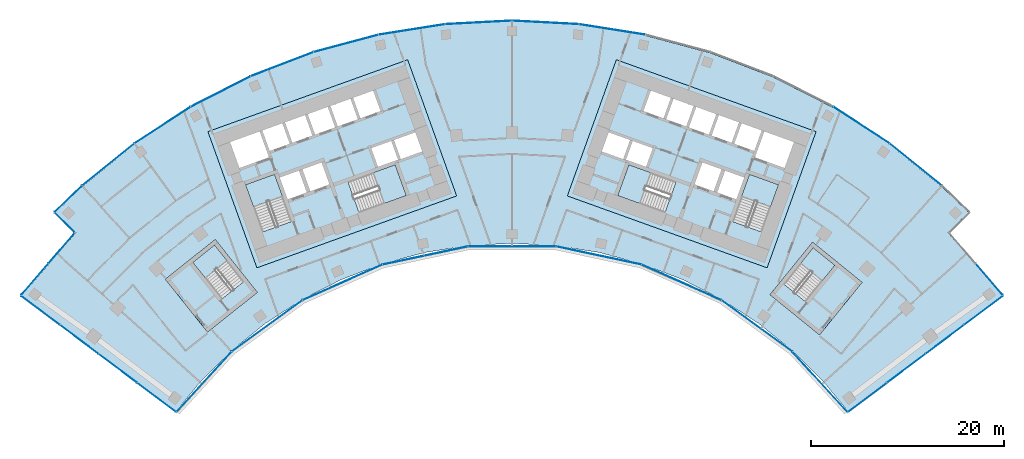
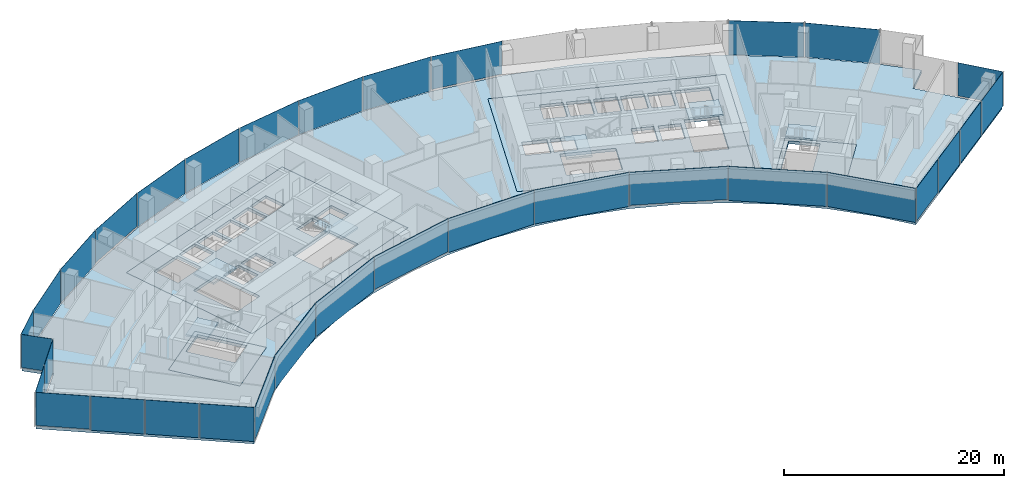
# One storey, part 11 of 21: 33 plates, 11 slabs, 13 elements without a shape of their own.
"""IFC4 building model written with IfcOpenShell, lengths in metres."""

from ifc_helpers import new_model, si_unit, direction, frame, origin, origin_2d, place, context, subcontext, project, spatial, polyline, rectangle, outline, extrude, material, layer, layer_set, type_object, element, aggregate, save


model = new_model("IFC4")

# Units and contexts
model_context = context("Model", 3, precision=1e-05, world=origin(), true_north=direction((0.0, 1.0)))
body_context = subcontext(model_context, "Body", "Model", "MODEL_VIEW")
ifc_project = project(units=[si_unit("LENGTHUNIT", "METRE"), si_unit("AREAUNIT", "SQUARE_METRE"), si_unit("VOLUMEUNIT", "CUBIC_METRE"), si_unit("PLANEANGLEUNIT", "RADIAN"), si_unit("MASSUNIT", "GRAM", prefix="KILO")], contexts=[model_context])

# Site, building, storey
site_placement = place(None, origin())
site = spatial("IfcSite", under=ifc_project, at=site_placement, CompositionType="ELEMENT")
building_placement = place(site_placement, origin())
building = spatial("IfcBuilding", under=site, at=building_placement, Name="Stone Belt Terrace Tower", CompositionType="ELEMENT")
storey_placement = place(building_placement, frame((0.0, 0.0, 151.60009765625)))
storey = spatial("IfcBuildingStorey", under=building, at=storey_placement, Name="L36", CompositionType="ELEMENT", Elevation=151.60009765625)

# Curtain wall, plates
ifc_material_1 = material(Name="Aluminium 6063-T6 anodised frame", Category="aluminium")
ifc_layer_1 = layer(ifc_material_1, 0.14990234375)
ifc_layer_set_1 = layer_set([ifc_layer_1], Name="CW-A unitised convex-face curtain wall")
curtain_wall_type_1 = type_object("IfcCurtainWallType", Name="CW-A unitised convex-face curtain wall", PredefinedType="NOTDEFINED", material=ifc_layer_set_1)
curtain_wall_1_placement = place(storey_placement, origin())
curtain_wall_1 = element("IfcCurtainWall", 1, at=curtain_wall_1_placement, inside=storey, type_object=curtain_wall_type_1, Name="CW-A convex face L36", PredefinedType="NOTDEFINED")
ifc_material_2 = material(Name="Clear double glazed unit")
ifc_layer_2 = layer(ifc_material_2, 0.031982421875)
ifc_layer_set_2 = layer_set([ifc_layer_2], Name="CW-A glass panel 32")
plate_type_1 = type_object("IfcPlateType", Name="CW-A glass panel 32", PredefinedType="CURTAIN_PANEL", material=ifc_layer_set_2)
plate_1_placement = place(storey_placement, frame((41.839599609375, 51.667724609375, 0.0), z_axis=(0.0, 0.0, 1.0), x_axis=(-0.777145961457, 0.62932039105, 0.0)))
plate_1 = element("IfcPlate", 2, at=plate_1_placement, type_object=plate_type_1, Name="CW-A panel 2.1", PredefinedType="CURTAIN_PANEL", context=body_context, shape_type="SweptSolid", body=[
    extrude(rectangle(XDim=6.900634765625, YDim=0.031982421875, at=origin_2d()), origin(), (0.0, 0.0, 1.0), 3.800048828125),
])
plate_2_placement = place(storey_placement, frame((36.209716796875, 55.758056640625, 0.0), z_axis=(0.0, 0.0, 1.0), x_axis=(-0.838670567945, 0.544639035015, 0.0)))
plate_2 = element("IfcPlate", 3, at=plate_2_placement, type_object=plate_type_1, Name="CW-A panel 3.1", PredefinedType="CURTAIN_PANEL", context=body_context, shape_type="SweptSolid", body=[
    extrude(rectangle(XDim=6.90087890625, YDim=0.031982421875, at=origin_2d()), origin(), (0.0, 0.0, 1.0), 3.800048828125),
])
plate_3_placement = place(storey_placement, frame((10.400390625, 65.665283203125, 0.14013671875), z_axis=(0.0, 0.0, 1.0), x_axis=(-0.987688340595, 0.15643446504, 0.0)))
plate_3 = element("IfcPlate", 4, at=plate_3_placement, type_object=plate_type_1, Name="CW-A panel 7.1", PredefinedType="CURTAIN_PANEL", context=body_context, shape_type="SweptSolid", body=[
    extrude(rectangle(XDim=6.90087890625, YDim=0.031982421875, at=origin_2d()), origin(), (0.0, 0.0, 1.0), 3.659912109375),
])
plate_4_placement = place(storey_placement, frame((3.4794921875, 66.392822265625, 0.0), z_axis=(0.0, 0.0, 1.0), x_axis=(-0.998629534755, 0.052335956243, 0.0)))
plate_4 = element("IfcPlate", 5, at=plate_4_placement, type_object=plate_type_1, Name="CW-A panel 8.1", PredefinedType="CURTAIN_PANEL", context=body_context, shape_type="SweptSolid", body=[
    extrude(rectangle(XDim=6.90087890625, YDim=0.031982421875, at=origin_2d()), origin(), (0.0, 0.0, 1.0), 3.800048828125),
])
plate_5_placement = place(storey_placement, frame((-3.4794921875, 66.392822265625, 0.0), z_axis=(0.0, 0.0, 1.0), x_axis=(-0.998629534755, -0.052335956243, 0.0)))
plate_5 = element("IfcPlate", 6, at=plate_5_placement, type_object=plate_type_1, Name="CW-A panel 9.1", PredefinedType="CURTAIN_PANEL", context=body_context, shape_type="SweptSolid", body=[
    extrude(rectangle(XDim=6.90087890625, YDim=0.031982421875, at=origin_2d()), origin(), (0.0, 0.0, 1.0), 3.800048828125),
])
plate_6_placement = place(storey_placement, frame((-10.400390625, 65.665283203125, 0.0), z_axis=(0.0, 0.0, 1.0), x_axis=(-0.987688340595, -0.15643446504, 0.0)))
plate_6 = element("IfcPlate", 7, at=plate_6_placement, type_object=plate_type_1, Name="CW-A panel 10.1", PredefinedType="CURTAIN_PANEL", context=body_context, shape_type="SweptSolid", body=[
    extrude(rectangle(XDim=6.90087890625, YDim=0.031982421875, at=origin_2d()), origin(), (0.0, 0.0, 1.0), 3.800048828125),
])
plate_7_placement = place(storey_placement, frame((-17.207275390625, 64.218505859375, 0.0), z_axis=(0.0, 0.0, 1.0), x_axis=(-0.965925826289, -0.258819045103, 0.0)))
plate_7 = element("IfcPlate", 8, at=plate_7_placement, type_object=plate_type_1, Name="CW-A panel 11.1", PredefinedType="CURTAIN_PANEL", context=body_context, shape_type="SweptSolid", body=[
    extrude(rectangle(XDim=6.90087890625, YDim=0.031982421875, at=origin_2d()), origin(), (0.0, 0.0, 1.0), 3.800048828125),
])
plate_8_placement = place(storey_placement, frame((-23.82568359375, 62.068115234375, 0.0), z_axis=(0.0, 0.0, 1.0), x_axis=(-0.933580426497, -0.358367949545, 0.0)))
plate_8 = element("IfcPlate", 9, at=plate_8_placement, type_object=plate_type_1, Name="CW-A panel 12.1", PredefinedType="CURTAIN_PANEL", context=body_context, shape_type="SweptSolid", body=[
    extrude(rectangle(XDim=6.90087890625, YDim=0.031982421875, at=origin_2d()), origin(), (0.0, 0.0, 1.0), 3.800048828125),
])
plate_9_placement = place(storey_placement, frame((-30.18310546875, 59.237548828125, 0.14013671875), z_axis=(0.0, 0.0, 1.0), x_axis=(-0.891006524188, -0.45399049974, 0.0)))
plate_9 = element("IfcPlate", 10, at=plate_9_placement, type_object=plate_type_1, Name="CW-A panel 13.1", PredefinedType="CURTAIN_PANEL", context=body_context, shape_type="SweptSolid", body=[
    extrude(rectangle(XDim=6.90087890625, YDim=0.031982421875, at=origin_2d()), origin(), (0.0, 0.0, 1.0), 3.659912109375),
])
plate_10_placement = place(storey_placement, frame((-36.209716796875, 55.758056640625, 0.0), z_axis=(0.0, 0.0, 1.0), x_axis=(-0.838670567945, -0.544639035015, 0.0)))
plate_10 = element("IfcPlate", 11, at=plate_10_placement, type_object=plate_type_1, Name="CW-A panel 14.1", PredefinedType="CURTAIN_PANEL", context=body_context, shape_type="SweptSolid", body=[
    extrude(rectangle(XDim=6.90087890625, YDim=0.031982421875, at=origin_2d()), origin(), (0.0, 0.0, 1.0), 3.800048828125),
])
plate_11_placement = place(storey_placement, frame((-41.839599609375, 51.667724609375, 0.0), z_axis=(0.0, 0.0, 1.0), x_axis=(-0.777145961457, -0.62932039105, 0.0)))
plate_11 = element("IfcPlate", 12, at=plate_11_placement, type_object=plate_type_1, Name="CW-A panel 15.1", PredefinedType="CURTAIN_PANEL", context=body_context, shape_type="SweptSolid", body=[
    extrude(rectangle(XDim=6.900634765625, YDim=0.031982421875, at=origin_2d()), origin(), (0.0, 0.0, 1.0), 3.800048828125),
])
plate_12_placement = place(storey_placement, frame((-45.9765625, 48.109619140625, 0.0), z_axis=(0.0, 0.0, 1.0), x_axis=(-0.723120883539, -0.690721497993, 0.0)))
plate_12 = element("IfcPlate", 13, at=plate_12_placement, type_object=plate_type_1, Name="CW-A panel 16.1", PredefinedType="CURTAIN_PANEL", context=body_context, shape_type="SweptSolid", body=[
    extrude(rectangle(XDim=3.888671875, YDim=0.031982421875, at=origin_2d()), origin(), (0.0, 0.0, 1.0), 3.800048828125),
])
aggregate(curtain_wall_1, [plate_1, plate_2, plate_3, plate_4, plate_5, plate_6, plate_7, plate_8, plate_9, plate_10, plate_11, plate_12])

ifc_layer_3 = layer(ifc_material_1, 0.14990234375)
ifc_layer_set_3 = layer_set([ifc_layer_3], Name="CW-B unitised concave-face curtain wall")
curtain_wall_type_2 = type_object("IfcCurtainWallType", Name="CW-B unitised concave-face curtain wall", PredefinedType="NOTDEFINED", material=ifc_layer_set_3)
curtain_wall_2_placement = place(storey_placement, origin())
curtain_wall_2 = element("IfcCurtainWall", 14, at=curtain_wall_2_placement, inside=storey, type_object=curtain_wall_type_2, Name="CW-B concave face L36", PredefinedType="NOTDEFINED")
ifc_layer_4 = layer(ifc_material_2, 0.030029296875)
ifc_layer_set_4 = layer_set([ifc_layer_4], Name="CW-B glass panel 30")
plate_type_2 = type_object("IfcPlateType", Name="CW-B glass panel 30", PredefinedType="CURTAIN_PANEL", material=ifc_layer_set_4)
plate_13_placement = place(storey_placement, frame((-31.9111328125, 29.148681640625, 0.1201171875), z_axis=(0.0, 0.0, 1.0), x_axis=(0.674760998748, 0.73803630979, 0.0)))
plate_13 = element("IfcPlate", 15, at=plate_13_placement, type_object=plate_type_2, Name="CW-B panel 1.1", PredefinedType="CURTAIN_PANEL", context=body_context, shape_type="SweptSolid", body=[
    extrude(rectangle(XDim=8.39501953125, YDim=0.030029296875, at=origin_2d()), origin(), (0.0, 0.0, 1.0), 3.679931640625),
])
plate_14_placement = place(storey_placement, frame((-25.384765625, 34.938720703125, 0.0), z_axis=(0.0, 0.0, 1.0), x_axis=(0.809016994375, 0.587785252292, 0.0)))
plate_14 = element("IfcPlate", 16, at=plate_14_placement, type_object=plate_type_2, Name="CW-B panel 2.1", PredefinedType="CURTAIN_PANEL", context=body_context, shape_type="SweptSolid", body=[
    extrude(rectangle(XDim=9.013427734375, YDim=0.030029296875, at=origin_2d()), origin(), (0.0, 0.0, 1.0), 3.800048828125),
])
plate_15_placement = place(storey_placement, frame((-17.565673828125, 39.453125, 0.0), z_axis=(0.0, 0.0, 1.0), x_axis=(0.913545457643, 0.406736643076, 0.0)))
plate_15 = element("IfcPlate", 17, at=plate_15_placement, type_object=plate_type_2, Name="CW-B panel 3.1", PredefinedType="CURTAIN_PANEL", context=body_context, shape_type="SweptSolid", body=[
    extrude(rectangle(XDim=9.0126953125, YDim=0.030029296875, at=origin_2d()), origin(), (0.0, 0.0, 1.0), 3.800048828125),
])
plate_16_placement = place(storey_placement, frame((-8.97900390625, 42.242919921875, 0.1201171875), z_axis=(0.0, 0.0, 1.0), x_axis=(0.978147600734, 0.207911690818, 0.0)))
plate_16 = element("IfcPlate", 18, at=plate_16_placement, type_object=plate_type_2, Name="CW-B panel 4.1", PredefinedType="CURTAIN_PANEL", context=body_context, shape_type="SweptSolid", body=[
    extrude(rectangle(XDim=9.0126953125, YDim=0.030029296875, at=origin_2d()), origin(), (0.0, 0.0, 1.0), 3.679931640625),
])
plate_17_placement = place(storey_placement, frame((0.0, 43.186767578125, 0.0), z_axis=(0.0, 0.0, 1.0), x_axis=(1.0, 0.0, 0.0)))
plate_17 = element("IfcPlate", 19, at=plate_17_placement, type_object=plate_type_2, Name="CW-B panel 5.1", PredefinedType="CURTAIN_PANEL", context=body_context, shape_type="SweptSolid", body=[
    extrude(rectangle(XDim=9.0126953125, YDim=0.030029296875, at=origin_2d()), origin(), (0.0, 0.0, 1.0), 3.800048828125),
])
plate_18_placement = place(storey_placement, frame((8.97900390625, 42.242919921875, 0.0), z_axis=(0.0, 0.0, 1.0), x_axis=(0.978147600734, -0.207911690818, 0.0)))
plate_18 = element("IfcPlate", 20, at=plate_18_placement, type_object=plate_type_2, Name="CW-B panel 6.1", PredefinedType="CURTAIN_PANEL", context=body_context, shape_type="SweptSolid", body=[
    extrude(rectangle(XDim=9.0126953125, YDim=0.030029296875, at=origin_2d()), origin(), (0.0, 0.0, 1.0), 3.800048828125),
])
plate_19_placement = place(storey_placement, frame((17.565673828125, 39.453125, 0.1201171875), z_axis=(0.0, 0.0, 1.0), x_axis=(0.913545457643, -0.406736643076, 0.0)))
plate_19 = element("IfcPlate", 21, at=plate_19_placement, type_object=plate_type_2, Name="CW-B panel 7.1", PredefinedType="CURTAIN_PANEL", context=body_context, shape_type="SweptSolid", body=[
    extrude(rectangle(XDim=9.0126953125, YDim=0.030029296875, at=origin_2d()), origin(), (0.0, 0.0, 1.0), 3.679931640625),
])
plate_20_placement = place(storey_placement, frame((25.384765625, 34.938720703125, 0.0), z_axis=(0.0, 0.0, 1.0), x_axis=(0.809016994375, -0.587785252292, 0.0)))
plate_20 = element("IfcPlate", 22, at=plate_20_placement, type_object=plate_type_2, Name="CW-B panel 8.1", PredefinedType="CURTAIN_PANEL", context=body_context, shape_type="SweptSolid", body=[
    extrude(rectangle(XDim=9.013427734375, YDim=0.030029296875, at=origin_2d()), origin(), (0.0, 0.0, 1.0), 3.800048828125),
])
plate_21_placement = place(storey_placement, frame((31.9111328125, 29.148681640625, 0.0), z_axis=(0.0, 0.0, 1.0), x_axis=(0.674760998748, -0.73803630979, 0.0)))
plate_21 = element("IfcPlate", 23, at=plate_21_placement, type_object=plate_type_2, Name="CW-B panel 9.1", PredefinedType="CURTAIN_PANEL", context=body_context, shape_type="SweptSolid", body=[
    extrude(rectangle(XDim=8.39501953125, YDim=0.030029296875, at=origin_2d()), origin(), (0.0, 0.0, 1.0), 3.800048828125),
])
aggregate(curtain_wall_2, [plate_13, plate_14, plate_15, plate_16, plate_17, plate_18, plate_19, plate_20, plate_21])

ifc_layer_5 = layer(ifc_material_1, 0.14990234375)
ifc_layer_set_5 = layer_set([ifc_layer_5], Name="CW-C stick curtain wall, horn ends and notches")
curtain_wall_type_3 = type_object("IfcCurtainWallType", Name="CW-C stick curtain wall, horn ends and notches", PredefinedType="NOTDEFINED", material=ifc_layer_set_5)
curtain_wall_3_placement = place(storey_placement, origin())
curtain_wall_3 = element("IfcCurtainWall", 24, at=curtain_wall_3_placement, inside=storey, type_object=curtain_wall_type_3, Name="CW-C end face L36", PredefinedType="NOTDEFINED")
ifc_layer_6 = layer(ifc_material_2, 0.028076171875)
ifc_layer_set_6 = layer_set([ifc_layer_6], Name="CW-C glass panel 28")
plate_type_3 = type_object("IfcPlateType", Name="CW-C glass panel 28", PredefinedType="CURTAIN_PANEL", material=ifc_layer_set_6)
plate_22_placement = place(storey_placement, frame((36.834228515625, 27.533203125, 0.1201171875), z_axis=(0.0, 0.0, 1.0), x_axis=(0.799986505357, 0.600017992436, 0.0)))
plate_22 = element("IfcPlate", 25, at=plate_22_placement, type_object=plate_type_3, Name="CW-C panel 1.1", PredefinedType="CURTAIN_PANEL", context=body_context, shape_type="SweptSolid", body=[
    extrude(rectangle(XDim=4.96533203125, YDim=0.028076171875, at=origin_2d()), origin(), (0.0, 0.0, 1.0), 3.679931640625),
])
plate_23_placement = place(storey_placement, frame((40.84423828125, 30.541015625, 0.0), z_axis=(0.0, 0.0, 1.0), x_axis=(0.799986505357, 0.600017992436, 0.0)))
plate_23 = element("IfcPlate", 26, at=plate_23_placement, type_object=plate_type_3, Name="CW-C panel 2.1", PredefinedType="CURTAIN_PANEL", context=body_context, shape_type="SweptSolid", body=[
    extrude(rectangle(XDim=4.93994140625, YDim=0.028076171875, at=origin_2d()), origin(), (0.0, 0.0, 1.0), 3.800048828125),
])
plate_24_placement = place(storey_placement, frame((44.84423828125, 33.541015625, 0.0), z_axis=(0.0, 0.0, 1.0), x_axis=(0.799986505357, 0.600017992436, 0.0)))
plate_24 = element("IfcPlate", 27, at=plate_24_placement, type_object=plate_type_3, Name="CW-C panel 3.1", PredefinedType="CURTAIN_PANEL", context=body_context, shape_type="SweptSolid", body=[
    extrude(rectangle(XDim=4.93994140625, YDim=0.028076171875, at=origin_2d()), origin(), (0.0, 0.0, 1.0), 3.800048828125),
])
plate_25_placement = place(storey_placement, frame((48.858154296875, 36.551513671875, 0.0), z_axis=(0.0, 0.0, 1.0), x_axis=(0.799986505357, 0.600017992436, 0.0)))
plate_25 = element("IfcPlate", 28, at=plate_25_placement, type_object=plate_type_3, Name="CW-C panel 4.1", PredefinedType="CURTAIN_PANEL", context=body_context, shape_type="SweptSolid", body=[
    extrude(rectangle(XDim=4.974853515625, YDim=0.028076171875, at=origin_2d()), origin(), (0.0, 0.0, 1.0), 3.800048828125),
])
aggregate(curtain_wall_3, [plate_22, plate_23, plate_24, plate_25])

# Curtain wall, plate
curtain_wall_4_placement = place(storey_placement, origin())
curtain_wall_4 = element("IfcCurtainWall", 29, at=curtain_wall_4_placement, inside=storey, type_object=curtain_wall_type_3, Name="CW-C notch face L36", PredefinedType="NOTDEFINED")
plate_26_placement = place(storey_placement, frame((49.466064453125, 39.76318359375, 0.1201171875), z_axis=(0.0, 0.0, 1.0), x_axis=(-0.652737860281, 0.757583847343, 0.0)))
plate_26 = element("IfcPlate", 30, at=plate_26_placement, type_object=plate_type_3, Name="CW-C panel 1.1", PredefinedType="CURTAIN_PANEL", context=body_context, shape_type="SweptSolid", body=[
    extrude(rectangle(XDim=4.268798828125, YDim=0.028076171875, at=origin_2d()), origin(), (0.0, 0.0, 1.0), 3.679931640625),
])
aggregate(curtain_wall_4, [plate_26])

curtain_wall_5_placement = place(storey_placement, origin())
curtain_wall_5 = element("IfcCurtainWall", 31, at=curtain_wall_5_placement, inside=storey, type_object=curtain_wall_type_3, Name="CW-C notch face L36", PredefinedType="NOTDEFINED")
plate_27_placement = place(storey_placement, frame((-46.365966796875, 45.658447265625, 0.1201171875), z_axis=(0.0, 0.0, 1.0), x_axis=(0.711713447851, -0.702469905511, 0.0)))
plate_27 = element("IfcPlate", 32, at=plate_27_placement, type_object=plate_type_3, Name="CW-C panel 1.1", PredefinedType="CURTAIN_PANEL", context=body_context, shape_type="SweptSolid", body=[
    extrude(rectangle(XDim=2.859375, YDim=0.028076171875, at=origin_2d()), origin(), (0.0, 0.0, 1.0), 3.679931640625),
])
aggregate(curtain_wall_5, [plate_27])

# Curtain wall, plates
curtain_wall_6_placement = place(storey_placement, origin())
curtain_wall_6 = element("IfcCurtainWall", 33, at=curtain_wall_6_placement, inside=storey, type_object=curtain_wall_type_3, Name="CW-C notch face L36", PredefinedType="NOTDEFINED")
plate_28_placement = place(storey_placement, frame((-46.68896484375, 42.986572265625, 0.1201171875), z_axis=(0.0, 0.0, 1.0), x_axis=(-0.652737860281, -0.757583847343, 0.0)))
plate_28 = element("IfcPlate", 34, at=plate_28_placement, type_object=plate_type_3, Name="CW-C panel 1.1", PredefinedType="CURTAIN_PANEL", context=body_context, shape_type="SweptSolid", body=[
    extrude(rectangle(XDim=4.12060546875, YDim=0.028076171875, at=origin_2d()), origin(), (0.0, 0.0, 1.0), 3.679931640625),
])
plate_29_placement = place(storey_placement, frame((-49.466064453125, 39.76318359375, 0.0), z_axis=(0.0, 0.0, 1.0), x_axis=(-0.652737860281, -0.757583847343, 0.0)))
plate_29 = element("IfcPlate", 35, at=plate_29_placement, type_object=plate_type_3, Name="CW-C panel 2.1", PredefinedType="CURTAIN_PANEL", context=body_context, shape_type="SweptSolid", body=[
    extrude(rectangle(XDim=4.268798828125, YDim=0.028076171875, at=origin_2d()), origin(), (0.0, 0.0, 1.0), 3.800048828125),
])
aggregate(curtain_wall_6, [plate_28, plate_29])

curtain_wall_7_placement = place(storey_placement, origin())
curtain_wall_7 = element("IfcCurtainWall", 36, at=curtain_wall_7_placement, inside=storey, type_object=curtain_wall_type_3, Name="CW-C end face L36", PredefinedType="NOTDEFINED")
plate_30_placement = place(storey_placement, frame((-48.858154296875, 36.551513671875, 0.1201171875), z_axis=(0.0, 0.0, 1.0), x_axis=(0.799986505357, -0.600017992436, 0.0)))
plate_30 = element("IfcPlate", 37, at=plate_30_placement, type_object=plate_type_3, Name="CW-C panel 1.1", PredefinedType="CURTAIN_PANEL", context=body_context, shape_type="SweptSolid", body=[
    extrude(rectangle(XDim=4.974853515625, YDim=0.028076171875, at=origin_2d()), origin(), (0.0, 0.0, 1.0), 3.679931640625),
])
plate_31_placement = place(storey_placement, frame((-44.84423828125, 33.541015625, 0.0), z_axis=(0.0, 0.0, 1.0), x_axis=(0.799986505357, -0.600017992436, 0.0)))
plate_31 = element("IfcPlate", 38, at=plate_31_placement, type_object=plate_type_3, Name="CW-C panel 2.1", PredefinedType="CURTAIN_PANEL", context=body_context, shape_type="SweptSolid", body=[
    extrude(rectangle(XDim=4.93994140625, YDim=0.028076171875, at=origin_2d()), origin(), (0.0, 0.0, 1.0), 3.800048828125),
])
plate_32_placement = place(storey_placement, frame((-40.84423828125, 30.541015625, 0.0), z_axis=(0.0, 0.0, 1.0), x_axis=(0.799986505357, -0.600017992436, 0.0)))
plate_32 = element("IfcPlate", 39, at=plate_32_placement, type_object=plate_type_3, Name="CW-C panel 3.1", PredefinedType="CURTAIN_PANEL", context=body_context, shape_type="SweptSolid", body=[
    extrude(rectangle(XDim=4.93994140625, YDim=0.028076171875, at=origin_2d()), origin(), (0.0, 0.0, 1.0), 3.800048828125),
])
plate_33_placement = place(storey_placement, frame((-36.834228515625, 27.533203125, 0.0), z_axis=(0.0, 0.0, 1.0), x_axis=(0.799986505357, -0.600017992436, 0.0)))
plate_33 = element("IfcPlate", 40, at=plate_33_placement, type_object=plate_type_3, Name="CW-C panel 4.1", PredefinedType="CURTAIN_PANEL", context=body_context, shape_type="SweptSolid", body=[
    extrude(rectangle(XDim=4.96533203125, YDim=0.028076171875, at=origin_2d()), origin(), (0.0, 0.0, 1.0), 3.800048828125),
])
aggregate(curtain_wall_7, [plate_30, plate_31, plate_32, plate_33])

# Slabs
ifc_material_3 = material(Name="Concrete B40", Category="concrete")
ifc_layer_7 = layer(ifc_material_3, 0.320068359375)
ifc_layer_set_7 = layer_set([ifc_layer_7], Name="Core floor slab 320")
slab_type_1 = type_object("IfcSlabType", Name="Core floor slab 320", PredefinedType="FLOOR", material=ifc_layer_set_7)
slab_1_placement = place(storey_placement, frame((0.0, 0.0, -0.320068359375)))
element("IfcSlab", 41, at=slab_1_placement, inside=storey, type_object=slab_type_1, Name="Core A floor L36", PredefinedType="FLOOR", context=body_context, shape_type="SweptSolid", body=[
    extrude(outline(polyline([(-26.43505859375, 40.968994140625), (-5.735107421875, 48.4189453125), (-10.81396484375, 62.531982421875), (-31.513916015625, 55.0830078125), (-26.43505859375, 40.968994140625)]), holes=[polyline([(-24.60791015625, 50.659912109375), (-22.847900390625, 45.76806640625), (-25.85888671875, 44.68408203125), (-27.618896484375, 49.575927734375), (-24.60791015625, 50.659912109375)]), polyline([(-23.25, 48.06689453125), (-24.06298828125, 50.324951171875), (-22.0869140625, 51.035888671875), (-21.27392578125, 48.778076171875), (-23.25, 48.06689453125)]), polyline([(-20.89794921875, 48.9130859375), (-21.7109375, 51.1708984375), (-19.735107421875, 51.883056640625), (-18.922119140625, 49.6240234375), (-20.89794921875, 48.9130859375)]), polyline([(-28.24609375, 51.31689453125), (-29.2109375, 53.9990234375), (-26.153076171875, 55.09912109375), (-25.18798828125, 52.41796875), (-28.24609375, 51.31689453125)]), polyline([(-23.801025390625, 55.946044921875), (-23.0390625, 53.8291015625), (-25.10888671875, 53.083984375), (-25.87109375, 55.200927734375), (-23.801025390625, 55.946044921875)]), polyline([(-21.447998046875, 56.7919921875), (-20.68603515625, 54.675048828125), (-22.756103515625, 53.929931640625), (-23.51806640625, 56.047119140625), (-21.447998046875, 56.7919921875)]), polyline([(-10.955078125, 48.452880859375), (-15.846923828125, 46.69189453125), (-16.998046875, 49.89208984375), (-12.10595703125, 51.652099609375), (-10.955078125, 48.452880859375)]), polyline([(-11.847900390625, 52.116943359375), (-11.864990234375, 52.1640625), (-13.887939453125, 51.43603515625), (-14.58203125, 53.364990234375), (-12.511962890625, 54.110107421875), (-11.801025390625, 52.134033203125), (-11.847900390625, 52.116943359375)]), polyline([(-9.30810546875, 53.031005859375), (-11.51904296875, 52.235107421875), (-12.22998046875, 54.2109375), (-10.01904296875, 55.007080078125), (-9.30810546875, 53.031005859375)]), polyline([(-21.166015625, 56.89404296875), (-19.095947265625, 57.638916015625), (-18.333984375, 55.52197265625), (-20.404052734375, 54.777099609375), (-21.166015625, 56.89404296875)]), polyline([(-16.743896484375, 58.485107421875), (-15.98193359375, 56.367919921875), (-18.052001953125, 55.623046875), (-18.81396484375, 57.739990234375), (-16.743896484375, 58.485107421875)]), polyline([(-14.39111328125, 59.33203125), (-13.6298828125, 57.215087890625), (-15.699951171875, 56.469970703125), (-16.4609375, 58.5869140625), (-14.39111328125, 59.33203125)])]), origin(), (0.0, 0.0, 1.0), 0.320068359375),
])
slab_2_placement = place(storey_placement, frame((0.0, 0.0, -0.320068359375)))
element("IfcSlab", 42, at=slab_2_placement, inside=storey, type_object=slab_type_1, Name="Core B floor L36", PredefinedType="FLOOR", context=body_context, shape_type="SweptSolid", body=[
    extrude(outline(polyline([(26.43505859375, 40.968994140625), (31.513916015625, 55.0830078125), (10.81396484375, 62.531982421875), (5.735107421875, 48.4189453125), (26.43505859375, 40.968994140625)]), holes=[polyline([(12.10595703125, 51.652099609375), (16.998046875, 49.89208984375), (15.846923828125, 46.69189453125), (10.955078125, 48.452880859375), (12.10595703125, 51.652099609375)]), polyline([(12.511962890625, 54.110107421875), (14.58203125, 53.364990234375), (13.887939453125, 51.43603515625), (11.864990234375, 52.1640625), (11.847900390625, 52.116943359375), (11.801025390625, 52.134033203125), (12.511962890625, 54.110107421875)]), polyline([(9.30810546875, 53.031005859375), (10.01904296875, 55.007080078125), (12.22998046875, 54.2109375), (11.51904296875, 52.235107421875), (9.30810546875, 53.031005859375)]), polyline([(18.333984375, 55.52197265625), (19.095947265625, 57.638916015625), (21.166015625, 56.89404296875), (20.404052734375, 54.777099609375), (18.333984375, 55.52197265625)]), polyline([(16.743896484375, 58.485107421875), (18.81396484375, 57.739990234375), (18.052001953125, 55.623046875), (15.98193359375, 56.367919921875), (16.743896484375, 58.485107421875)]), polyline([(14.39111328125, 59.33203125), (16.4609375, 58.5869140625), (15.699951171875, 56.469970703125), (13.6298828125, 57.215087890625), (14.39111328125, 59.33203125)]), polyline([(27.618896484375, 49.575927734375), (25.85888671875, 44.68408203125), (22.847900390625, 45.76806640625), (24.60791015625, 50.659912109375), (27.618896484375, 49.575927734375)]), polyline([(23.25, 48.06689453125), (21.27392578125, 48.778076171875), (22.0869140625, 51.035888671875), (24.06298828125, 50.324951171875), (23.25, 48.06689453125)]), polyline([(20.89794921875, 48.9130859375), (18.922119140625, 49.6240234375), (19.735107421875, 51.883056640625), (21.7109375, 51.1708984375), (20.89794921875, 48.9130859375)]), polyline([(26.153076171875, 55.09912109375), (29.2109375, 53.9990234375), (28.24609375, 51.31689453125), (25.18798828125, 52.41796875), (26.153076171875, 55.09912109375)]), polyline([(23.801025390625, 55.946044921875), (25.87109375, 55.200927734375), (25.10888671875, 53.083984375), (23.0390625, 53.8291015625), (23.801025390625, 55.946044921875)]), polyline([(21.447998046875, 56.7919921875), (23.51806640625, 56.047119140625), (22.756103515625, 53.929931640625), (20.68603515625, 54.675048828125), (21.447998046875, 56.7919921875)])]), origin(), (0.0, 0.0, 1.0), 0.320068359375),
])
slab_3_placement = place(storey_placement, frame((0.0, 0.0, -0.320068359375)))
element("IfcSlab", 43, at=slab_3_placement, inside=storey, type_object=slab_type_1, Name="Exit stair ST3A floor L36", PredefinedType="FLOOR", context=body_context, shape_type="SweptSolid", body=[
    extrude(outline(polyline([(-26.39404296875, 38.425048828125), (-30.756103515625, 43.89990234375), (-35.91796875, 39.787109375), (-31.555908203125, 34.31298828125), (-26.39404296875, 38.425048828125)]), holes=[polyline([(-27.798095703125, 39.544921875), (-30.06591796875, 37.738037109375), (-33.087890625, 41.531005859375), (-30.820068359375, 43.337890625), (-27.798095703125, 39.544921875)])]), origin(), (0.0, 0.0, 1.0), 0.320068359375),
])
slab_4_placement = place(storey_placement, frame((0.0, 0.0, -0.320068359375)))
element("IfcSlab", 44, at=slab_4_placement, inside=storey, type_object=slab_type_1, Name="Exit stair ST3B floor L36", PredefinedType="FLOOR", context=body_context, shape_type="SweptSolid", body=[
    extrude(outline(polyline([(26.741943359375, 38.18408203125), (31.866943359375, 34.02392578125), (36.278076171875, 39.458984375), (31.154052734375, 43.618896484375), (26.741943359375, 38.18408203125)]), holes=[polyline([(30.407958984375, 37.462890625), (28.156005859375, 39.291015625), (31.2119140625, 43.055908203125), (33.464111328125, 41.22802734375), (30.407958984375, 37.462890625)])]), origin(), (0.0, 0.0, 1.0), 0.320068359375),
])
ifc_layer_8 = layer(ifc_material_3, 0.320068359375)
ifc_layer_set_8 = layer_set([ifc_layer_8], Name="Floor slab 320 B40")
slab_type_2 = type_object("IfcSlabType", Name="Floor slab 320 B40", PredefinedType="FLOOR", material=ifc_layer_set_8)
slab_5_placement = place(storey_placement, frame((0.0, 0.0, -0.320068359375)))
element("IfcSlab", 45, at=slab_5_placement, inside=storey, type_object=slab_type_2, Name="Floor slab L36", PredefinedType="FLOOR", context=body_context, shape_type="SweptSolid", body=[
    extrude(outline(polyline([(-44.497314453125, 49.419189453125), (-39.087646484375, 53.799560546875), (-33.25, 57.5908203125), (-27.048095703125, 60.750732421875), (-20.549560546875, 63.245361328125), (-13.826171875, 65.046875), (-6.951171875, 66.1357421875), (0.0, 66.5), (6.951171875, 66.1357421875), (13.826171875, 65.046875), (20.549560546875, 63.245361328125), (27.048095703125, 60.750732421875), (33.25, 57.5908203125), (39.087646484375, 53.799560546875), (44.497314453125, 49.419189453125), (47.328857421875, 46.714111328125), (45.19384765625, 44.606689453125), (50.799072265625, 38.10107421875), (34.79931640625, 26.100830078125), (32.326904296875, 29.107177734375), (29.107177734375, 32.326904296875), (25.568603515625, 35.192138671875), (21.75, 37.672119140625), (17.693115234375, 39.7392578125), (13.442138671875, 41.37109375), (9.044189453125, 42.54931640625), (4.547119140625, 43.26171875), (0.0, 43.5), (-4.547119140625, 43.26171875), (-9.044189453125, 42.54931640625), (-13.442138671875, 41.37109375), (-17.693115234375, 39.7392578125), (-21.75, 37.672119140625), (-25.568603515625, 35.192138671875), (-29.107177734375, 32.326904296875), (-32.326904296875, 29.107177734375), (-34.79931640625, 26.100830078125), (-50.799072265625, 38.10107421875), (-45.19384765625, 44.606689453125), (-47.328857421875, 46.714111328125), (-44.497314453125, 49.419189453125)]), holes=[polyline([(-26.434814453125, 40.968994140625), (-5.734619140625, 48.418701171875), (-10.81396484375, 62.532470703125), (-31.51416015625, 55.082763671875), (-26.434814453125, 40.968994140625)]), polyline([(10.81396484375, 62.532470703125), (5.734619140625, 48.418701171875), (26.434814453125, 40.968994140625), (31.51416015625, 55.082763671875), (10.81396484375, 62.532470703125)]), polyline([(-35.91796875, 39.787353515625), (-31.55615234375, 34.3125), (-26.39404296875, 38.425048828125), (-30.756103515625, 43.89990234375), (-35.91796875, 39.787353515625)]), polyline([(36.2783203125, 39.459228515625), (31.15380859375, 43.61865234375), (26.742431640625, 38.18359375), (31.86669921875, 34.024169921875), (36.2783203125, 39.459228515625)])]), origin(), (0.0, 0.0, 1.0), 0.320068359375),
])

# Stair, slab
stair_type = type_object("IfcStairType", Name="Exit stair 1500", PredefinedType="HALF_TURN_STAIR", material=ifc_material_3)
stair_1_placement = place(storey_placement, origin())
stair_1 = element("IfcStair", 46, at=stair_1_placement, inside=storey, type_object=stair_type, Name="L36 Exit stair 1 core A", PredefinedType="HALF_TURN_STAIR")
ifc_layer_9 = layer(ifc_material_3, 0.199951171875)
ifc_layer_set_9 = layer_set([ifc_layer_9], Name="Stair landing 200")
slab_type_3 = type_object("IfcSlabType", Name="Stair landing 200", PredefinedType="LANDING", material=ifc_layer_set_9)
slab_6_placement = place(storey_placement, frame((0.0, 0.0, 1.699951171875)))
slab_6 = element("IfcSlab", 47, at=slab_6_placement, type_object=slab_type_3, Name="ST1A landing 1", PredefinedType="LANDING", context=body_context, shape_type="SweptSolid", body=[
    extrude(outline(polyline([(-23.79541015625, 48.40087890625), (-24.6083984375, 50.659912109375), (-27.619384765625, 49.576171875), (-26.806396484375, 47.3173828125), (-23.79541015625, 48.40087890625)])), origin(), (0.0, 0.0, 1.0), 0.199951171875),
])
aggregate(stair_1, [slab_6])

stair_2_placement = place(storey_placement, origin())
stair_2 = element("IfcStair", 48, at=stair_2_placement, inside=storey, type_object=stair_type, Name="L36 Exit stair 2 core A", PredefinedType="HALF_TURN_STAIR")
slab_7_placement = place(storey_placement, frame((0.0, 0.0, 1.699951171875)))
slab_7 = element("IfcSlab", 49, at=slab_7_placement, type_object=slab_type_3, Name="ST2A landing 1", PredefinedType="LANDING", context=body_context, shape_type="SweptSolid", body=[
    extrude(outline(polyline([(-13.213623046875, 47.64013671875), (-10.95458984375, 48.453125), (-12.10595703125, 51.652099609375), (-14.36474609375, 50.839111328125), (-13.213623046875, 47.64013671875)])), origin(), (0.0, 0.0, 1.0), 0.199951171875),
])
aggregate(stair_2, [slab_7])

stair_3_placement = place(storey_placement, origin())
stair_3 = element("IfcStair", 50, at=stair_3_placement, inside=storey, type_object=stair_type, Name="L36 Exit stair 1 core B", PredefinedType="HALF_TURN_STAIR")
slab_8_placement = place(storey_placement, frame((0.0, 0.0, 1.699951171875)))
slab_8 = element("IfcSlab", 51, at=slab_8_placement, type_object=slab_type_3, Name="ST1B landing 1", PredefinedType="LANDING", context=body_context, shape_type="SweptSolid", body=[
    extrude(outline(polyline([(26.806396484375, 47.3173828125), (27.619384765625, 49.576171875), (24.6083984375, 50.659912109375), (23.79541015625, 48.40087890625), (26.806396484375, 47.3173828125)])), origin(), (0.0, 0.0, 1.0), 0.199951171875),
])
aggregate(stair_3, [slab_8])

stair_4_placement = place(storey_placement, origin())
stair_4 = element("IfcStair", 52, at=stair_4_placement, inside=storey, type_object=stair_type, Name="L36 Exit stair 2 core B", PredefinedType="HALF_TURN_STAIR")
slab_9_placement = place(storey_placement, frame((0.0, 0.0, 1.699951171875)))
slab_9 = element("IfcSlab", 53, at=slab_9_placement, type_object=slab_type_3, Name="ST2B landing 1", PredefinedType="LANDING", context=body_context, shape_type="SweptSolid", body=[
    extrude(outline(polyline([(14.36474609375, 50.839111328125), (12.10595703125, 51.652099609375), (10.95458984375, 48.453125), (13.213623046875, 47.64013671875), (14.36474609375, 50.839111328125)])), origin(), (0.0, 0.0, 1.0), 0.199951171875),
])
aggregate(stair_4, [slab_9])

stair_5_placement = place(storey_placement, origin())
stair_5 = element("IfcStair", 54, at=stair_5_placement, inside=storey, type_object=stair_type, Name="L36 Exit stair 3A", PredefinedType="HALF_TURN_STAIR")
slab_10_placement = place(storey_placement, frame((0.0, 0.0, 1.699951171875)))
slab_10 = element("IfcSlab", 55, at=slab_10_placement, type_object=slab_type_3, Name="ST3A landing 1", PredefinedType="LANDING", context=body_context, shape_type="SweptSolid", body=[
    extrude(outline(polyline([(-29.541748046875, 41.73388671875), (-30.819580078125, 43.337890625), (-33.087646484375, 41.53076171875), (-31.809814453125, 39.9267578125), (-29.541748046875, 41.73388671875)])), origin(), (0.0, 0.0, 1.0), 0.199951171875),
])
aggregate(stair_5, [slab_10])

stair_6_placement = place(storey_placement, origin())
stair_6 = element("IfcStair", 56, at=stair_6_placement, inside=storey, type_object=stair_type, Name="L36 Exit stair 3B", PredefinedType="HALF_TURN_STAIR")
slab_11_placement = place(storey_placement, frame((0.0, 0.0, 1.699951171875)))
slab_11 = element("IfcSlab", 57, at=slab_11_placement, type_object=slab_type_3, Name="ST3B landing 1", PredefinedType="LANDING", context=body_context, shape_type="SweptSolid", body=[
    extrude(outline(polyline([(32.17138671875, 39.635986328125), (33.4638671875, 41.228271484375), (31.21240234375, 43.055908203125), (29.919921875, 41.463623046875), (32.17138671875, 39.635986328125)])), origin(), (0.0, 0.0, 1.0), 0.199951171875),
])
aggregate(stair_6, [slab_11])

save(model, "model.ifc")
